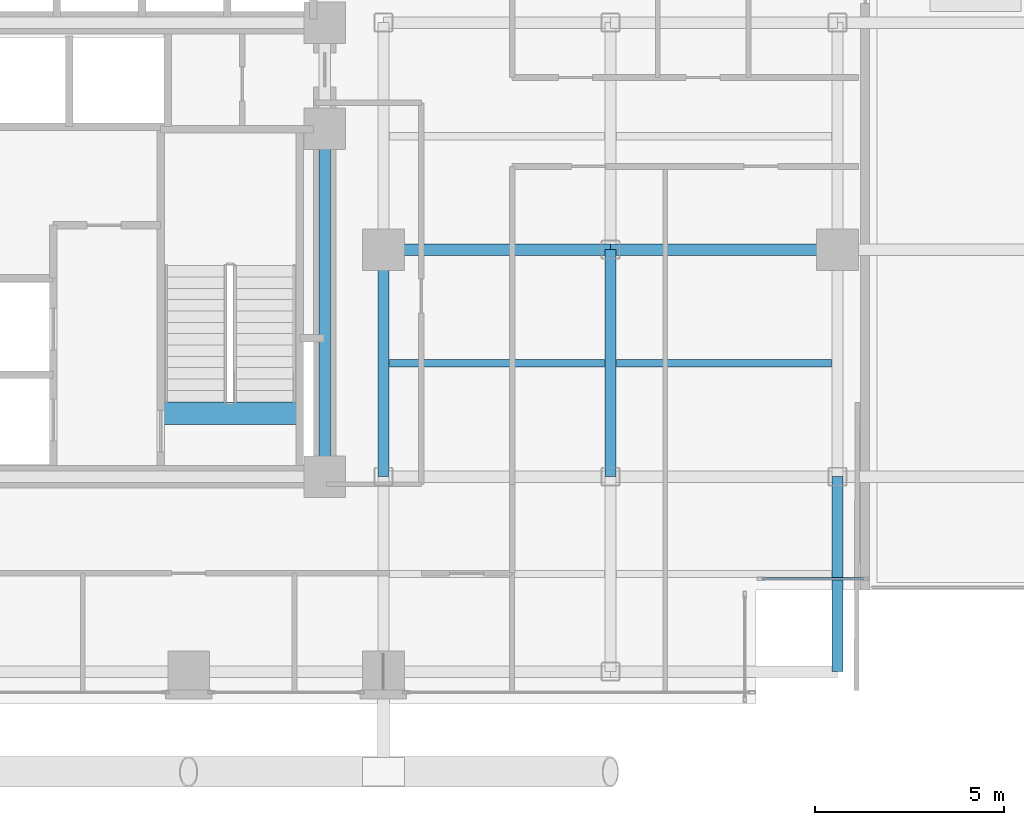
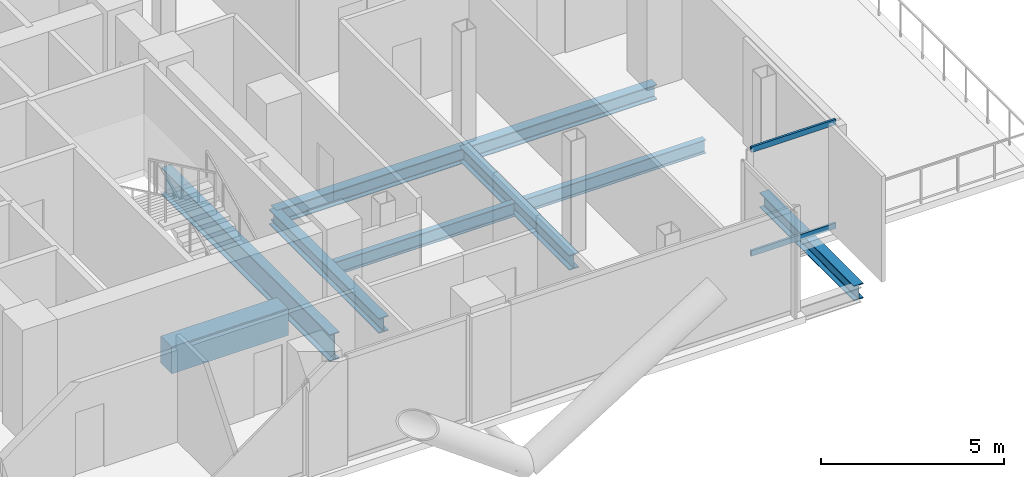
# One storey, part 11 of 26: 9 beams, 2 members, 1 element without a shape of its own.
"""IFC4 building model written with IfcOpenShell, lengths in metres."""

from ifc_helpers import new_model, si_unit, direction, frame, origin, origin_2d, place, context, subcontext, project, spatial, rectangle, hollow_rectangle, i_section, extrude, material, layer, layer_set, material_profile, profile_set, type_object, element, aggregate, save


model = new_model("IFC4")

# Units and contexts
model_context = context("Model", 3, precision=1e-05, world=origin(), true_north=direction((0.0, 1.0)))
body_context = subcontext(model_context, "Body", "Model", "MODEL_VIEW")
ifc_project = project(units=[si_unit("LENGTHUNIT", "METRE"), si_unit("AREAUNIT", "SQUARE_METRE"), si_unit("VOLUMEUNIT", "CUBIC_METRE"), si_unit("PLANEANGLEUNIT", "RADIAN"), si_unit("MASSUNIT", "GRAM", prefix="KILO"), si_unit("THERMODYNAMICTEMPERATUREUNIT", "KELVIN"), si_unit("POWERUNIT", "WATT")], contexts=[model_context])

# Site, building, storey
site_placement = place(None, origin())
site = spatial("IfcSite", under=ifc_project, at=site_placement, CompositionType="ELEMENT")
building_placement = place(site_placement, origin())
building = spatial("IfcBuilding", under=site, at=building_placement, Name="Svarakhadi Broadcast Tower", CompositionType="ELEMENT")
storey_placement = place(building_placement, frame((0.0, 0.0, 99.60009765625)))
storey = spatial("IfcBuildingStorey", under=building, at=storey_placement, Name="L23", CompositionType="ELEMENT", Elevation=99.60009765625)

# Beams
ifc_material_1 = material(Name="Steel S355J2 (IS 2062 E350C)", Category="steel")
ifc_material_profile_1 = material_profile(ifc_material_1, i_section(OverallWidth=0.18994140625, OverallDepth=0.449951171875, WebThickness=0.009521484375, FlangeThickness=0.0146484375, FilletRadius=0.02099609375, at=origin_2d()), Name="NPB 450x190x78")
ifc_profile_set_1 = profile_set([ifc_material_profile_1], Name="Steel S355J2 (IS 2062 E350C)")
beam_type_1 = type_object("IfcBeamType", Name="Beam_NPB450", PredefinedType="BEAM", material=ifc_profile_set_1)
for number, where, z_axis, x_axis, name in (
    (1, (35.31005859375, 9.0, -0.4501953125), (1.0, 0.0, 0.0), (0.0, 1.0, 0.0), "L23 Secondary Composite Beam SB021"),
    (2, (41.31005859375, 9.0, -0.4501953125), (1.0, 0.0, 0.0), (0.0, 1.0, 0.0), "L23 Secondary Composite Beam SB024"),
):
    element("IfcBeam", number, at=place(storey_placement, frame(where, z_axis=z_axis, x_axis=x_axis)), inside=storey, type_object=beam_type_1, Name=name, PredefinedType="BEAM", context=body_context, shape_type="SweptSolid", body=[
        extrude(i_section(OverallWidth=0.18994140625, OverallDepth=0.449951171875, WebThickness=0.009521484375, FlangeThickness=0.0146484375, FilletRadius=0.02099609375, at=origin_2d()), origin(), (0.0, 0.0, 1.0), 5.679931640625),
    ])

# Curtain wall, members
ifc_material_2 = material(Name="Anodised Bronze Aluminium AA 6063-T6", Category="aluminium")
ifc_layer = layer(ifc_material_2, 0.199951171875)
ifc_layer_set = layer_set([ifc_layer], Name="Anodised Bronze Aluminium AA 6063-T6")
curtain_wall_type = type_object("IfcCurtainWallType", Name="CW_Sys_03", PredefinedType="NOTDEFINED", material=ifc_layer_set)
curtain_wall_placement = place(storey_placement, origin())
curtain_wall = element("IfcCurtainWall", 3, at=curtain_wall_placement, inside=storey, type_object=curtain_wall_type, Name="L23 Unitised Facade Curtain Wall 12", PredefinedType="NOTDEFINED")
ifc_material_profile_2 = material_profile(ifc_material_2, hollow_rectangle(XDim=0.070068359375, YDim=0.18505859375, WallThickness=0.0048828125, at=origin_2d()), Name="ALU TRANSOM 185x70x5")
ifc_profile_set_2 = profile_set([ifc_material_profile_2], Name="Anodised Bronze Aluminium AA 6063-T6")
member_type = type_object("IfcMemberType", Name="CW_Sys_03_Trn", PredefinedType="USERDEFINED", material=ifc_profile_set_2)
member_1_placement = place(storey_placement, frame((47.8349609375, 3.300048828125, 0.034912109375), z_axis=(-1.0, 0.0, 0.0), x_axis=(0.0, -1.0, 0.0)))
member_1 = element("IfcMember", 4, at=member_1_placement, type_object=member_type, Name="CW-03 transom 1.1", ObjectType="TRANSOM", PredefinedType="USERDEFINED", context=body_context, shape_type="SweptSolid", body=[
    extrude(hollow_rectangle(XDim=0.070068359375, YDim=0.18505859375, WallThickness=0.0048828125, at=origin_2d()), origin(), (0.0, 0.0, 1.0), 2.669921875),
])
member_2_placement = place(storey_placement, frame((47.8349609375, 3.300048828125, 3.489990234375), z_axis=(-1.0, 0.0, 0.0), x_axis=(0.0, -1.0, 0.0)))
member_2 = element("IfcMember", 5, at=member_2_placement, type_object=member_type, Name="CW-03 transom 1.2", ObjectType="TRANSOM", PredefinedType="USERDEFINED", context=body_context, shape_type="SweptSolid", body=[
    extrude(hollow_rectangle(XDim=0.070068359375, YDim=0.18505859375, WallThickness=0.0048828125, at=origin_2d()), origin(), (0.0, 0.0, 1.0), 2.669921875),
])
aggregate(curtain_wall, [member_1, member_2])

# Beams
ifc_material_3 = material(Name="Concrete C50/60 (IS 456 M60)", Category="concrete")
ifc_material_profile_3 = material_profile(ifc_material_3, rectangle(XDim=0.60009765625, YDim=0.89990234375, at=origin_2d()), Name="RC 600x900")
ifc_profile_set_3 = profile_set([ifc_material_profile_3], Name="Concrete C50/60 (IS 456 M60)")
beam_type_2 = type_object("IfcBeamType", Name="Coupling_RC600", PredefinedType="USERDEFINED", material=ifc_profile_set_3)
beam_1_placement = place(storey_placement, frame((29.260009765625, 7.679931640625, -0.4501953125), z_axis=(1.0, 0.0, 0.0), x_axis=(0.0, 1.0, 0.0)))
element("IfcBeam", 6, at=beam_1_placement, inside=storey, type_object=beam_type_2, Name="L23 Stair ST-02 Landing Throat Trimmer Beam CB-01", ObjectType="GIRDER", PredefinedType="USERDEFINED", context=body_context, shape_type="SweptSolid", body=[
    extrude(rectangle(XDim=0.60009765625, YDim=0.89990234375, at=origin_2d()), origin(), (0.0, 0.0, 1.0), 3.679931640625),
])
ifc_material_profile_4 = material_profile(ifc_material_1, i_section(OverallWidth=0.300048828125, OverallDepth=0.5, WebThickness=0.014404296875, FlangeThickness=0.028076171875, FilletRadius=0.027099609375, at=origin_2d()), Name="WPB 500x300x187")
ifc_profile_set_4 = profile_set([ifc_material_profile_4], Name="Steel S355J2 (IS 2062 E350C)")
beam_type_3 = type_object("IfcBeamType", Name="Girder_WPB500", PredefinedType="USERDEFINED", material=ifc_profile_set_4)
for number, where, z_axis, x_axis, name in (
    (7, (35.14990234375, 12.0, -0.47509765625), (1.0, 0.0, 0.0), (0.0, 1.0, 0.0), "L23 Primary E-W Girder G022"),
    (8, (41.14990234375, 12.0, -0.47509765625), (1.0, 0.0, 0.0), (0.0, 1.0, 0.0), "L23 Primary E-W Girder G023"),
    (9, (35.14990234375, 6.0, -0.47509765625), (0.0, 1.0, 0.0), (-1.0, 0.0, 0.0), "L23 Primary N-S Girder G071"),
    (10, (41.14990234375, 6.0, -0.47509765625), (0.0, 1.0, 0.0), (-1.0, 0.0, 0.0), "L23 Primary N-S Girder G074"),
):
    element("IfcBeam", number, at=place(storey_placement, frame(where, z_axis=z_axis, x_axis=x_axis)), inside=storey, type_object=beam_type_3, Name=name, ObjectType="GIRDER", PredefinedType="USERDEFINED", context=body_context, shape_type="SweptSolid", body=[
        extrude(i_section(OverallWidth=0.300048828125, OverallDepth=0.5, WebThickness=0.014404296875, FlangeThickness=0.028076171875, FilletRadius=0.027099609375, at=origin_2d()), origin(), (0.0, 0.0, 1.0), 6.0),
    ])
beam_2_placement = place(storey_placement, frame((47.14990234375, 0.85009765625, -0.47509765625), z_axis=(0.0, 1.0, 0.0), x_axis=(-1.0, 0.0, 0.0)))
element("IfcBeam", 11, at=beam_2_placement, inside=storey, type_object=beam_type_3, Name="L23 Primary N-S Girder G076", ObjectType="GIRDER", PredefinedType="USERDEFINED", context=body_context, shape_type="SweptSolid", body=[
    extrude(i_section(OverallWidth=0.300048828125, OverallDepth=0.5, WebThickness=0.014404296875, FlangeThickness=0.028076171875, FilletRadius=0.027099609375, at=origin_2d()), origin(), (0.0, 0.0, 1.0), 5.14990234375),
])
ifc_material_4 = material(Name="Steel S460ML (IS 2062 E450BR)", Category="steel")
ifc_material_profile_5 = material_profile(ifc_material_4, i_section(OverallWidth=0.300048828125, OverallDepth=0.89990234375, WebThickness=0.0185546875, FlangeThickness=0.034912109375, FilletRadius=0.030029296875, at=origin_2d()), Name="WPB 900x300x291")
ifc_profile_set_5 = profile_set([ifc_material_profile_5], Name="Steel S460ML (IS 2062 E450BR)")
beam_type_4 = type_object("IfcBeamType", Name="Girder_WPB900", PredefinedType="USERDEFINED", material=ifc_profile_set_5)
beam_3_placement = place(storey_placement, frame((33.60009765625, 6.0, -0.675048828125), z_axis=(0.0, 1.0, 0.0), x_axis=(-1.0, 0.0, 0.0)))
element("IfcBeam", 12, at=beam_3_placement, inside=storey, type_object=beam_type_4, Name="L23 Primary N-S Girder G068", ObjectType="GIRDER", PredefinedType="USERDEFINED", context=body_context, shape_type="SweptSolid", body=[
    extrude(i_section(OverallWidth=0.300048828125, OverallDepth=0.89990234375, WebThickness=0.0185546875, FlangeThickness=0.034912109375, FilletRadius=0.030029296875, at=origin_2d()), origin(), (0.0, 0.0, 1.0), 9.199951171875),
])

save(model, "model.ifc")
